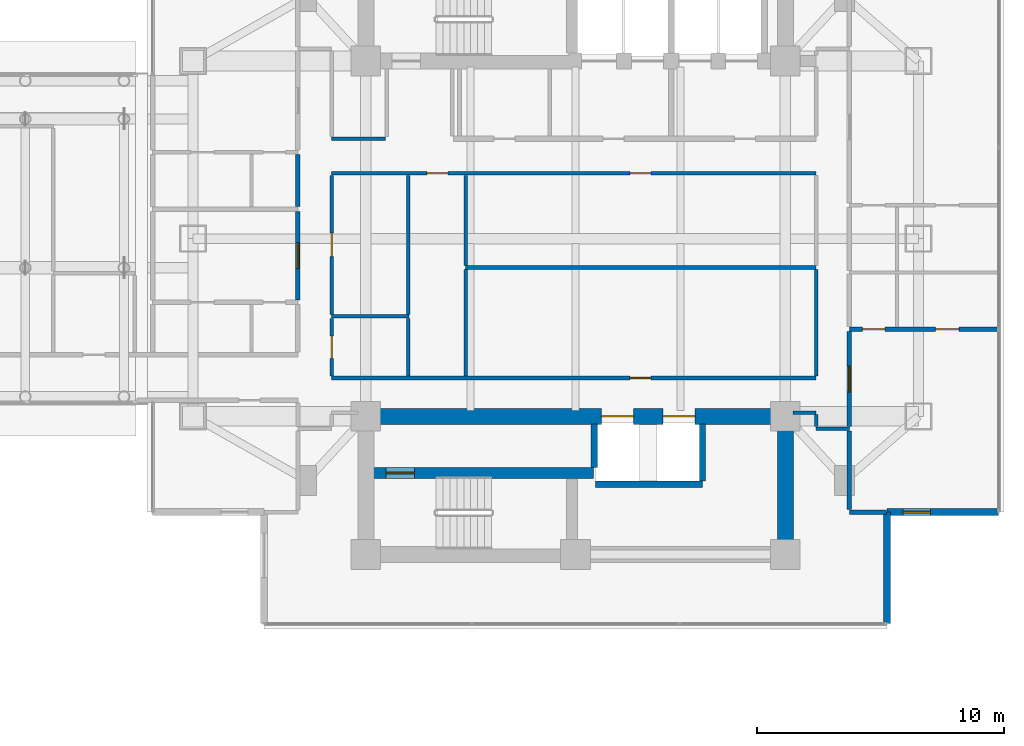
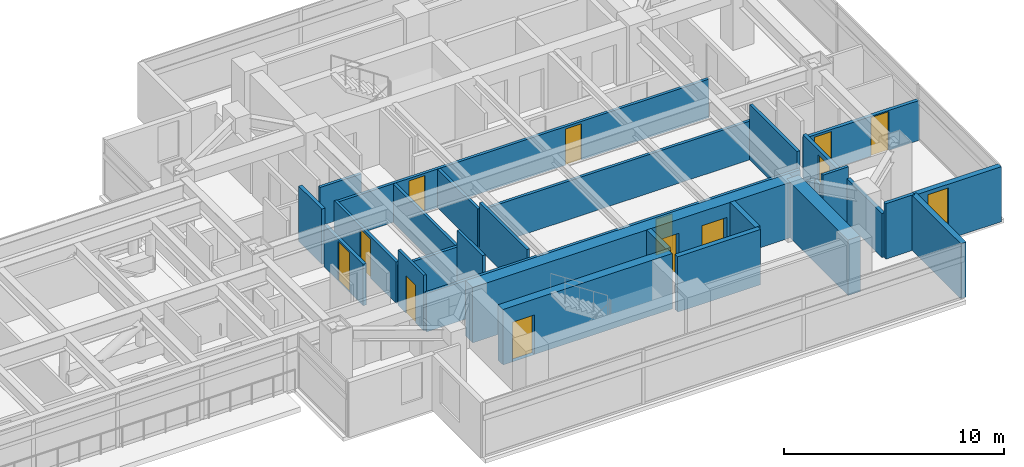
# One storey, part 20 of 29: 29 walls, 12 doors, 1 window, 13 openings.
"""IFC4 building model written with IfcOpenShell, lengths in metres."""

import ifcopenshell
import ifcopenshell.guid

model = None  # the IFC model being written
_history = None  # IfcOwnerHistory: only IFC2X3 demands one
_inside = {}  # id of a spatial element -> (the spatial element, [elements in it])
_under = {}  # id of a project, library or spatial element -> (it, [spatial elements below it])
_declared = {}  # id of a project -> (the project, [libraries it declares])
_typed = {}  # id of a type object -> (the type object, [elements of that type])
_made_of = {}  # id of a material, layer set ... -> (it, [elements and type objects made of it])


def new_model(schema):
    """Start an empty IFC model of exactly this schema.

    Asked for "IFC4X3", IfcOpenShell would pick the latest addendum, in which some entities
    have other attributes; the version numbers below select the first issue.
    IFC2X3 requires an IfcOwnerHistory on every rooted entity: one is made here for all.
    """
    global model, _history
    if schema == "IFC4X3":
        model = ifcopenshell.file(schema_version=(4, 3, 0, 0))
    else:
        model = ifcopenshell.file(schema=schema)
    _inside.clear()
    _under.clear()
    _declared.clear()
    _typed.clear()
    _made_of.clear()
    _history = None
    if model.schema == "IFC2X3":
        org = make("IfcOrganization", Name="unknown")
        user = make(
            "IfcPersonAndOrganization",
            ThePerson=make("IfcPerson", FamilyName="unknown"),
            TheOrganization=org,
        )
        app = make(
            "IfcApplication",
            ApplicationDeveloper=org,
            Version="unknown",
            ApplicationFullName="unknown",
            ApplicationIdentifier="unknown",
        )
        _history = make(
            "IfcOwnerHistory",
            OwningUser=user,
            OwningApplication=app,
            ChangeAction="ADDED",
            CreationDate=0,
        )
    return model


def make(cls, **values):
    """One entity of the class cls with the attributes given. An attribute that is None is left unset."""
    return model.create_entity(
        cls, **{name: value for name, value in values.items() if value is not None}
    )


def rooted(cls, **values):
    """An entity with a GlobalId (a new one), such as an element, a storey or a relation."""
    return make(cls, GlobalId=ifcopenshell.guid.new(), OwnerHistory=_history, **values)


def si_unit(unit_type, name, prefix=None):
    """IfcSIUnit, for example si_unit("LENGTHUNIT", "METRE", prefix="MILLI")."""
    return make("IfcSIUnit", UnitType=unit_type, Prefix=prefix, Name=name)


def assignment(units):
    """IfcUnitAssignment: the units of a project."""
    return None if units is None else make("IfcUnitAssignment", Units=units)


def point(xyz):
    """IfcCartesianPoint."""
    return None if xyz is None else make("IfcCartesianPoint", Coordinates=xyz)


def direction(xyz):
    """IfcDirection."""
    return None if xyz is None else make("IfcDirection", DirectionRatios=xyz)


def frame(location, z_axis=None, x_axis=None):
    """IfcAxis2Placement3D, a coordinate frame: its origin and axes. An axis left out is left unset."""
    return make(
        "IfcAxis2Placement3D",
        Location=point(location),
        Axis=direction(z_axis),
        RefDirection=direction(x_axis),
    )


def frame_2d(location, x_axis=None):
    """IfcAxis2Placement2D, a coordinate frame in the plane: its origin and x axis."""
    return make(
        "IfcAxis2Placement2D", Location=point(location), RefDirection=direction(x_axis)
    )


def origin():
    """The frame at (0, 0, 0) with its axes left unset."""
    return frame((0.0, 0.0, 0.0))


def place(relative_to, where):
    """IfcLocalPlacement: puts the frame where relative to a parent placement (None: the world)."""
    return make(
        "IfcLocalPlacement", PlacementRelTo=relative_to, RelativePlacement=where
    )


def context(
    kind, dimensions, precision=None, world=None, true_north=None, identifier=None
):
    """IfcGeometricRepresentationContext, for example the 3D "Model" context."""
    return make(
        "IfcGeometricRepresentationContext",
        ContextIdentifier=identifier,
        ContextType=kind,
        CoordinateSpaceDimension=dimensions,
        Precision=precision,
        WorldCoordinateSystem=world,
        TrueNorth=true_north,
    )


def subcontext(parent, identifier, kind, view, scale=None):
    """IfcGeometricRepresentationSubContext, for example "Body" below "Model"."""
    return make(
        "IfcGeometricRepresentationSubContext",
        ContextIdentifier=identifier,
        ContextType=kind,
        ParentContext=parent,
        TargetScale=scale,
        TargetView=view,
    )


def project(units=None, contexts=None):
    """IfcProject with its units and contexts."""
    return rooted(
        "IfcProject",
        Name="project",
        RepresentationContexts=contexts,
        UnitsInContext=assignment(units),
    )


def spatial(cls, under=None, at=None, **own):
    """A site, building, storey or space (cls), placed at a placement, below another one or the project."""
    s = rooted(cls, ObjectPlacement=at, **own)
    if under is not None:
        _under.setdefault(under.id(), (under, []))[1].append(s)
    return s


def profile(cls, at=None, kind="AREA", **sizes):
    """A parametric profile (cls). Its sizes go by their IFC names, for example OverallWidth=200.0."""
    return make(cls, ProfileType=kind, Position=at, **sizes)


def rectangle(**sizes):
    """IfcRectangleProfileDef."""
    return profile("IfcRectangleProfileDef", **sizes)


def extrude(swept, where, along, depth):
    """IfcExtrudedAreaSolid: the profile swept, set in the frame where, extruded along a direction by depth."""
    return make(
        "IfcExtrudedAreaSolid",
        SweptArea=swept,
        Position=where,
        ExtrudedDirection=direction(along),
        Depth=depth,
    )


def shape(context_of_items, identifier, shape_type, items):
    """IfcShapeRepresentation: the items that make up one representation, for example the "Body"."""
    return make(
        "IfcShapeRepresentation",
        ContextOfItems=context_of_items,
        RepresentationIdentifier=identifier,
        RepresentationType=shape_type,
        Items=items,
    )


def material(Name=None, Category=None):
    """IfcMaterial."""
    return make("IfcMaterial", Name=Name, Category=Category)


def layer(
    of_material, thickness, ventilated=None, Name=None, Category=None, Priority=None
):
    """IfcMaterialLayer: one layer of a wall or slab, of a material (None: an air gap)."""
    return make(
        "IfcMaterialLayer",
        Material=of_material,
        LayerThickness=thickness,
        IsVentilated=ventilated,
        Name=Name,
        Category=Category,
        Priority=Priority,
    )


def layer_set(layers, Name=None):
    """IfcMaterialLayerSet."""
    return make("IfcMaterialLayerSet", MaterialLayers=layers, LayerSetName=Name)


def made_of(thing, what):
    """Note that an element or type object is made of a material, layer set ...; save() writes the relation."""
    if what is not None:
        _made_of.setdefault(what.id(), (what, []))[1].append(thing)
    return thing


def type_object(cls, material=None, **own):
    """A type object (cls), such as IfcWallType, which elements share."""
    return made_of(rooted(cls, **own), material)


def element(
    cls,
    number,
    at=None,
    inside=None,
    cuts=None,
    type_object=None,
    material=None,
    context=None,
    identifier="Body",
    shape_type=None,
    held_by="IfcProductDefinitionShape",
    body=None,
    shapes=None,
    **own,
):
    """One element of the class cls, such as IfcWall. Its Tag is "e" and its number.

    at: its placement. inside: the storey or other place that contains it. cuts: it is an
    opening in that element (IfcRelVoidsElement). A single representation is given by context,
    identifier, shape_type and body (its items); several are given by shapes. held_by: the class
    of the entity that holds the representations. save() writes the other relations.
    """
    e = rooted(cls, Tag="e%d" % number, ObjectPlacement=at, **own)
    if body is not None:
        shapes = [shape(context, identifier, shape_type, body)]
    if shapes is not None:
        e.Representation = make(held_by, Representations=shapes)
    if inside is not None:
        _inside.setdefault(inside.id(), (inside, []))[1].append(e)
    if cuts is not None:
        rooted(
            "IfcRelVoidsElement", RelatingBuildingElement=cuts, RelatedOpeningElement=e
        )
    if type_object is not None:
        _typed.setdefault(type_object.id(), (type_object, []))[1].append(e)
    return made_of(e, material)


def fill(opening, filler):
    """IfcRelFillsElement: the door or window that sits in an opening."""
    return rooted(
        "IfcRelFillsElement",
        RelatingOpeningElement=opening,
        RelatedBuildingElement=filler,
    )


def aggregate(whole, parts):
    """IfcRelAggregates: a whole, such as a stair, and the parts it consists of."""
    return rooted("IfcRelAggregates", RelatingObject=whole, RelatedObjects=parts)


def save(model, path):
    """Write the relations noted so far, then the file.

    IfcRelAggregates (storeys below a building ...), IfcRelContainedInSpatialStructure (elements
    in a storey), IfcRelDefinesByType, IfcRelAssociatesMaterial and IfcRelDeclares: one each for
    every whole, place, type object, material and project.
    """
    for whole, parts in _under.values():
        aggregate(whole, parts)
    for where, things in _inside.values():
        rooted(
            "IfcRelContainedInSpatialStructure",
            RelatedElements=things,
            RelatingStructure=where,
        )
    for kind, things in _typed.values():
        rooted("IfcRelDefinesByType", RelatedObjects=things, RelatingType=kind)
    for what, things in _made_of.values():
        rooted("IfcRelAssociatesMaterial", RelatedObjects=things, RelatingMaterial=what)
    for by, libraries in _declared.values():
        rooted("IfcRelDeclares", RelatingContext=by, RelatedDefinitions=libraries)
    model.write(path)


model = new_model("IFC4")

# Units and contexts
model_context = context("Model", 3, precision=1e-05, world=origin(), true_north=direction((0.0, 1.0)))
body_context = subcontext(model_context, "Body", "Model", "MODEL_VIEW")
ifc_project = project(units=[si_unit("LENGTHUNIT", "METRE"), si_unit("AREAUNIT", "SQUARE_METRE"), si_unit("VOLUMEUNIT", "CUBIC_METRE"), si_unit("PLANEANGLEUNIT", "RADIAN"), si_unit("MASSUNIT", "GRAM", prefix="KILO")], contexts=[model_context])

# Site, building, storey
site_placement = place(None, origin())
site = spatial("IfcSite", under=ifc_project, at=site_placement, CompositionType="ELEMENT")
building_placement = place(site_placement, origin())
building = spatial("IfcBuilding", under=site, at=building_placement, Name="Mirazonda Arch Towers", CompositionType="ELEMENT")
storey_placement = place(building_placement, frame((0.0, 0.0, 88.39990234375)))
storey = spatial("IfcBuildingStorey", under=building, at=storey_placement, Name="L24", CompositionType="ELEMENT", Elevation=88.39990234375)

# Wall, opening, door
ifc_material_1 = material(Name="Concrete C50/60", Category="concrete")
ifc_layer_1 = layer(ifc_material_1, 0.449951171875, Name="WALL-CORE-450")
ifc_layer_set_1 = layer_set([ifc_layer_1], Name="Concrete C50/60")
wall_type_1 = type_object("IfcWallType", Name="WALL-CORE-450", PredefinedType="SHEAR", material=ifc_layer_set_1)
wall_1_placement = place(storey_placement, frame((68.320068359375, 18.5, 0.0), z_axis=(0.0, 0.0, 1.0), x_axis=(1.0, 0.0, 0.0)))
wall_1 = element("IfcWall", 1, at=wall_1_placement, inside=storey, type_object=wall_type_1, Name="L24 Stair Core Shear Wall 014", PredefinedType="SHEAR", context=body_context, shape_type="SweptSolid", body=[
    extrude(rectangle(XDim=8.89990234375, YDim=0.449951171875, at=frame_2d((4.449951171875, 0.0))), origin(), (0.0, 0.0, 1.0), 3.080078125),
])
opening_1_placement = place(wall_1_placement, frame((0.4951171875, 0.0, 0.0)))
opening_1 = element("IfcOpeningElement", 2, at=opening_1_placement, cuts=wall_1, Name="Opening DR-135", PredefinedType="OPENING", context=body_context, shape_type="SweptSolid", body=[
    extrude(rectangle(XDim=1.14990234375, YDim=2.199951171875, at=frame_2d((0.574951171875, 1.10009765625))), frame((0.0, 0.23486328125, 0.0), z_axis=(0.0, -1.0, 0.0), x_axis=(1.0, 0.0, 0.0)), (0.0, 0.0, 1.0), 0.469970703125),
])
ifc_material_2 = material(Name="Architectural Brushed Steel S355", Category="steel")
door_type_1 = type_object("IfcDoorType", Name="DOOR-STAIR-FD90-1150", OperationType="NOTDEFINED", PredefinedType="DOOR", material=ifc_material_2)
door_1_placement = place(opening_1_placement, origin())
door_1 = element("IfcDoor", 3, at=door_1_placement, inside=storey, type_object=door_type_1, Name="L24 East Protected Stair South Door", OperationType="SINGLE_SWING_LEFT", OverallHeight=2.199951171875, OverallWidth=1.14990234375, PredefinedType="DOOR", context=body_context, shape_type="SweptSolid", body=[
    extrude(rectangle(XDim=1.14990234375, YDim=2.199951171875, at=frame_2d((0.574951171875, 1.10009765625))), frame((0.0, 0.02490234375, 0.0), z_axis=(0.0, -1.0, 0.0), x_axis=(1.0, 0.0, 0.0)), (0.0, 0.0, 1.0), 0.050048828125),
])
fill(opening_1, door_1)

# Wall
ifc_material_3 = material(Name="Concrete C60/75", Category="concrete")
ifc_layer_2 = layer(ifc_material_3, 0.64990234375, Name="WALL-CORE-650")
ifc_layer_set_2 = layer_set([ifc_layer_2], Name="Concrete C60/75")
wall_type_2 = type_object("IfcWallType", Name="WALL-CORE-650", PredefinedType="SHEAR", material=ifc_layer_set_2)
wall_2_placement = place(storey_placement, frame((85.0, 15.199951171875, 0.0), z_axis=(0.0, 0.0, 1.0), x_axis=(0.0, 1.0, 0.0)))
element("IfcWall", 4, at=wall_2_placement, inside=storey, type_object=wall_type_2, Name="L24 T2S-E Core Shear Wall", PredefinedType="SHEAR", context=body_context, shape_type="SweptSolid", body=[
    extrude(rectangle(XDim=5.60009765625, YDim=0.64990234375, at=frame_2d((2.800048828125, 0.0))), origin(), (0.0, 0.0, 1.0), 3.080078125),
])

# Wall, openings, doors
wall_3_placement = place(storey_placement, frame((68.0, 20.800048828125, 0.0), z_axis=(0.0, 0.0, 1.0), x_axis=(1.0, 0.0, 0.0)))
wall_3 = element("IfcWall", 5, at=wall_3_placement, inside=storey, type_object=wall_type_2, Name="L24 T2S-N Core Shear Wall", PredefinedType="SHEAR", context=body_context, shape_type="SweptSolid", body=[
    extrude(rectangle(XDim=17.0, YDim=0.64990234375, at=frame_2d((8.5, 0.0))), origin(), (0.0, 0.0, 1.0), 3.080078125),
])
opening_2_placement = place(wall_3_placement, frame((9.550048828125, 0.0, 0.0)))
opening_2 = element("IfcOpeningElement", 6, at=opening_2_placement, cuts=wall_3, Name="Opening LD-111", PredefinedType="OPENING", context=body_context, shape_type="SweptSolid", body=[
    extrude(rectangle(XDim=1.300048828125, YDim=2.300048828125, at=frame_2d((0.64990234375, 1.14990234375))), frame((0.0, 0.3349609375, 0.0), z_axis=(0.0, -1.0, 0.0), x_axis=(1.0, 0.0, 0.0)), (0.0, 0.0, 1.0), 0.669921875),
])
opening_3_placement = place(wall_3_placement, frame((12.050048828125, 0.0, 0.0)))
opening_3 = element("IfcOpeningElement", 7, at=opening_3_placement, cuts=wall_3, Name="Opening LD-111", PredefinedType="OPENING", context=body_context, shape_type="SweptSolid", body=[
    extrude(rectangle(XDim=1.300048828125, YDim=2.300048828125, at=frame_2d((0.64990234375, 1.14990234375))), frame((0.0, 0.3349609375, 0.0), z_axis=(0.0, -1.0, 0.0), x_axis=(1.0, 0.0, 0.0)), (0.0, 0.0, 1.0), 0.669921875),
])
door_type_2 = type_object("IfcDoorType", Name="DOOR-LIFT-LAND-1300", OperationType="NOTDEFINED", PredefinedType="DOOR", material=ifc_material_2)
door_2_placement = place(opening_2_placement, origin())
door_2 = element("IfcDoor", 8, at=door_2_placement, inside=storey, type_object=door_type_2, Name="L24 Lift Landing Sliding Door PL-T2H1", OperationType="DOUBLE_DOOR_SLIDING", OverallHeight=2.300048828125, OverallWidth=1.300048828125, PredefinedType="DOOR", context=body_context, shape_type="SweptSolid", body=[
    extrude(rectangle(XDim=1.300048828125, YDim=2.300048828125, at=frame_2d((0.64990234375, 1.14990234375))), frame((0.0, 0.02490234375, 0.0), z_axis=(0.0, -1.0, 0.0), x_axis=(1.0, 0.0, 0.0)), (0.0, 0.0, 1.0), 0.050048828125),
])
fill(opening_2, door_2)
door_3_placement = place(opening_3_placement, origin())
door_3 = element("IfcDoor", 9, at=door_3_placement, inside=storey, type_object=door_type_2, Name="L24 Lift Landing Sliding Door PL-T2H2", OperationType="DOUBLE_DOOR_SLIDING", OverallHeight=2.300048828125, OverallWidth=1.300048828125, PredefinedType="DOOR", context=body_context, shape_type="SweptSolid", body=[
    extrude(rectangle(XDim=1.300048828125, YDim=2.300048828125, at=frame_2d((0.64990234375, 1.14990234375))), frame((0.0, 0.02490234375, 0.0), z_axis=(0.0, -1.0, 0.0), x_axis=(1.0, 0.0, 0.0)), (0.0, 0.0, 1.0), 0.050048828125),
])
fill(opening_3, door_3)

# Wall, opening, window
ifc_material_4 = material(Name="Precast Concrete C40/50", Category="concrete")
ifc_layer_3 = layer(ifc_material_4, 0.280029296875, Name="WALL-EXT-WALL-280")
ifc_layer_set_3 = layer_set([ifc_layer_3], Name="Precast Concrete C40/50")
wall_type_3 = type_object("IfcWallType", Name="WALL-EXT-WALL-280", PredefinedType="SOLIDWALL", material=ifc_layer_set_3)
wall_4_placement = place(storey_placement, frame((89.126220703125, 16.918701171875, 0.0), z_axis=(0.0, 0.0, 1.0), x_axis=(1.0, 0.0, 0.0)))
wall_4 = element("IfcWall", 10, at=wall_4_placement, inside=storey, type_object=wall_type_3, Name="L24 T2 Corner Notch Return Wall WL-L24-T2-CSE1", PredefinedType="SOLIDWALL", context=body_context, shape_type="SweptSolid", body=[
    extrude(rectangle(XDim=4.516357421875, YDim=0.280029296875, at=frame_2d((2.25830078125, 0.0))), origin(), (0.0, 0.0, 1.0), 3.06005859375),
])
opening_4_placement = place(wall_4_placement, frame((0.64990234375, 0.0, 0.85009765625)))
opening_4 = element("IfcOpeningElement", 11, at=opening_4_placement, cuts=wall_4, Name="Opening WN-108", PredefinedType="OPENING", context=body_context, shape_type="SweptSolid", body=[
    extrude(rectangle(XDim=1.10009765625, YDim=2.0, at=frame_2d((0.550048828125, 1.0))), frame((0.0, 0.14990234375, 0.0), z_axis=(0.0, -1.0, 0.0), x_axis=(1.0, 0.0, 0.0)), (0.0, 0.0, 1.0), 0.300048828125),
])
ifc_material_5 = material(Name="Insulated Low-E Solar Glass", Category="glass")
window_type = type_object("IfcWindowType", Name="WIN-NOTCH-1100x2000", PartitioningType="SINGLE_PANEL", PredefinedType="WINDOW", material=ifc_material_5)
window_placement = place(opening_4_placement, origin())
window = element("IfcWindow", 12, at=window_placement, inside=storey, type_object=window_type, Name="L24 Punched Facade Window WN-L24-T2-CSE1", OverallHeight=2.0, OverallWidth=1.10009765625, PartitioningType="SINGLE_PANEL", PredefinedType="WINDOW", context=body_context, shape_type="SweptSolid", body=[
    extrude(rectangle(XDim=1.10009765625, YDim=2.0, at=frame_2d((0.550048828125, 1.0))), frame((0.0, 0.030029296875, 0.0), z_axis=(0.0, -1.0, 0.0), x_axis=(1.0, 0.0, 0.0)), (0.0, 0.0, 1.0), 0.06005859375),
])
fill(opening_4, window)

# Walls
wall_5_placement = place(storey_placement, frame((89.126220703125, 12.402587890625, 0.0), z_axis=(0.0, 0.0, 1.0), x_axis=(0.0, 1.0, 0.0)))
element("IfcWall", 13, at=wall_5_placement, inside=storey, type_object=wall_type_3, Name="L24 T2 Corner Notch Return Wall WL-L24-T2-CSE2", PredefinedType="SOLIDWALL", context=body_context, shape_type="SweptSolid", body=[
    extrude(rectangle(XDim=4.51611328125, YDim=0.280029296875, at=frame_2d((2.258056640625, 0.0))), origin(), (0.0, 0.0, 1.0), 3.06005859375),
])
ifc_material_6 = material(Name="Fire-Rated Gypsum Stud Partition")
ifc_layer_4 = layer(ifc_material_6, 0.14990234375, Name="WALL-PART-CORR-150")
ifc_layer_set_4 = layer_set([ifc_layer_4], Name="Fire-Rated Gypsum Stud Partition")
wall_type_4 = type_object("IfcWallType", Name="WALL-PART-CORR-150", PredefinedType="PARTITIONING", material=ifc_layer_set_4)
wall_6_placement = place(storey_placement, frame((86.25, 20.300048828125, 0.0), z_axis=(0.0, 0.0, 1.0), x_axis=(1.0, 0.0, 0.0)))
element("IfcWall", 14, at=wall_6_placement, inside=storey, type_object=wall_type_4, Name="L24 Interior Partition 017", PredefinedType="PARTITIONING", context=body_context, shape_type="SweptSolid", body=[
    extrude(rectangle(XDim=1.35009765625, YDim=0.14990234375, at=frame_2d((0.675048828125, 0.0))), origin(), (0.0, 0.0, 1.0), 3.080078125),
])
wall_7_placement = place(storey_placement, frame((85.320068359375, 20.949951171875, 0.0), z_axis=(0.0, 0.0, 1.0), x_axis=(1.0, 0.0, 0.0)))
element("IfcWall", 15, at=wall_7_placement, inside=storey, type_object=wall_type_4, Name="L24 Interior Partition 020", PredefinedType="PARTITIONING", context=body_context, shape_type="SweptSolid", body=[
    extrude(rectangle(XDim=0.929931640625, YDim=0.14990234375, at=frame_2d((0.46484375, 0.0))), origin(), (0.0, 0.0, 1.0), 2.47216796875),
])

# Wall, opening, door
wall_8_placement = place(storey_placement, frame((66.6201171875, 22.35009765625, 0.0), z_axis=(0.0, 0.0, 1.0), x_axis=(1.0, 0.0, 0.0)))
wall_8 = element("IfcWall", 16, at=wall_8_placement, inside=storey, type_object=wall_type_4, Name="L24 Interior Partition 023", PredefinedType="PARTITIONING", context=body_context, shape_type="SweptSolid", body=[
    extrude(rectangle(XDim=19.6298828125, YDim=0.14990234375, at=frame_2d((9.81494140625, 0.0))), origin(), (0.0, 0.0, 1.0), 2.14501953125),
])
opening_5_placement = place(wall_8_placement, frame((12.0849609375, 0.0, 0.0)))
opening_5 = element("IfcOpeningElement", 17, at=opening_5_placement, cuts=wall_8, Name="Opening DR-128", PredefinedType="OPENING", context=body_context, shape_type="SweptSolid", body=[
    extrude(rectangle(XDim=0.85009765625, YDim=2.010009765625, at=frame_2d((0.425048828125, 1.0048828125))), frame((0.0, 0.0849609375, 0.0), z_axis=(0.0, -1.0, 0.0), x_axis=(1.0, 0.0, 0.0)), (0.0, 0.0, 1.0), 0.169921875),
])
door_type_3 = type_object("IfcDoorType", Name="DOOR-RISER-FD60-850", OperationType="NOTDEFINED", PredefinedType="DOOR", material=ifc_material_2)
door_4_placement = place(opening_5_placement, origin())
door_4 = element("IfcDoor", 18, at=door_4_placement, inside=storey, type_object=door_type_3, Name="L24 Business Reading Study Door", OperationType="SINGLE_SWING_LEFT", OverallHeight=2.010009765625, OverallWidth=0.85009765625, PredefinedType="DOOR", context=body_context, shape_type="SweptSolid", body=[
    extrude(rectangle(XDim=0.85009765625, YDim=2.010009765625, at=frame_2d((0.425048828125, 1.0048828125))), frame((0.0, 0.02490234375, 0.0), z_axis=(0.0, -1.0, 0.0), x_axis=(1.0, 0.0, 0.0)), (0.0, 0.0, 1.0), 0.050048828125),
])
fill(opening_5, door_4)

# Walls
wall_9_placement = place(storey_placement, frame((66.6201171875, 24.85009765625, 0.0), z_axis=(0.0, 0.0, 1.0), x_axis=(1.0, 0.0, 0.0)))
element("IfcWall", 19, at=wall_9_placement, inside=storey, type_object=wall_type_4, Name="L24 Interior Partition 028", PredefinedType="PARTITIONING", context=body_context, shape_type="SweptSolid", body=[
    extrude(rectangle(XDim=3.1298828125, YDim=0.14990234375, at=frame_2d((1.56494140625, 0.0))), origin(), (0.0, 0.0, 1.0), 2.14501953125),
])
wall_10_placement = place(storey_placement, frame((72.050048828125, 26.83203125, 0.0), z_axis=(0.0, 0.0, 1.0), x_axis=(1.0, 0.0, 0.0)))
element("IfcWall", 20, at=wall_10_placement, inside=storey, type_object=wall_type_4, Name="L24 Interior Partition 033", PredefinedType="PARTITIONING", context=body_context, shape_type="SweptSolid", body=[
    extrude(rectangle(XDim=14.199951171875, YDim=0.14990234375, at=frame_2d((7.10009765625, 0.0))), origin(), (0.0, 0.0, 1.0), 2.14501953125),
])

# Wall, openings, doors
wall_11_placement = place(storey_placement, frame((66.6201171875, 30.64990234375, 0.0), z_axis=(0.0, 0.0, 1.0), x_axis=(1.0, 0.0, 0.0)))
wall_11 = element("IfcWall", 21, at=wall_11_placement, inside=storey, type_object=wall_type_4, Name="L24 Interior Partition 039", PredefinedType="PARTITIONING", context=body_context, shape_type="SweptSolid", body=[
    extrude(rectangle(XDim=19.6298828125, YDim=0.14990234375, at=frame_2d((9.81494140625, 0.0))), origin(), (0.0, 0.0, 1.0), 2.14501953125),
])
opening_6_placement = place(wall_11_placement, frame((3.85498046875, 0.0, 0.0)))
opening_6 = element("IfcOpeningElement", 22, at=opening_6_placement, cuts=wall_11, Name="Opening DR-128", PredefinedType="OPENING", context=body_context, shape_type="SweptSolid", body=[
    extrude(rectangle(XDim=0.85009765625, YDim=2.010009765625, at=frame_2d((0.425048828125, 1.0048828125))), frame((0.0, 0.0849609375, 0.0), z_axis=(0.0, -1.0, 0.0), x_axis=(1.0, 0.0, 0.0)), (0.0, 0.0, 1.0), 0.169921875),
])
opening_7_placement = place(wall_11_placement, frame((12.0849609375, 0.0, 0.0)))
opening_7 = element("IfcOpeningElement", 23, at=opening_7_placement, cuts=wall_11, Name="Opening DR-128", PredefinedType="OPENING", context=body_context, shape_type="SweptSolid", body=[
    extrude(rectangle(XDim=0.85009765625, YDim=2.010009765625, at=frame_2d((0.425048828125, 1.0048828125))), frame((0.0, 0.0849609375, 0.0), z_axis=(0.0, -1.0, 0.0), x_axis=(1.0, 0.0, 0.0)), (0.0, 0.0, 1.0), 0.169921875),
])
door_5_placement = place(opening_6_placement, origin())
door_5 = element("IfcDoor", 24, at=door_5_placement, inside=storey, type_object=door_type_3, Name="L24 L24 East Courtyard Study Door", OperationType="SINGLE_SWING_RIGHT", OverallHeight=2.010009765625, OverallWidth=0.85009765625, PredefinedType="DOOR", context=body_context, shape_type="SweptSolid", body=[
    extrude(rectangle(XDim=0.85009765625, YDim=2.010009765625, at=frame_2d((0.425048828125, 1.0048828125))), frame((0.0, 0.02490234375, 0.0), z_axis=(0.0, -1.0, 0.0), x_axis=(1.0, 0.0, 0.0)), (0.0, 0.0, 1.0), 0.050048828125),
])
fill(opening_6, door_5)
door_6_placement = place(opening_7_placement, origin())
door_6 = element("IfcDoor", 25, at=door_6_placement, inside=storey, type_object=door_type_3, Name="L24 Concierge Salon Door", OperationType="SINGLE_SWING_RIGHT", OverallHeight=2.010009765625, OverallWidth=0.85009765625, PredefinedType="DOOR", context=body_context, shape_type="SweptSolid", body=[
    extrude(rectangle(XDim=0.85009765625, YDim=2.010009765625, at=frame_2d((0.425048828125, 1.0048828125))), frame((0.0, 0.02490234375, 0.0), z_axis=(0.0, -1.0, 0.0), x_axis=(1.0, 0.0, 0.0)), (0.0, 0.0, 1.0), 0.050048828125),
])
fill(opening_7, door_6)

# Wall
wall_12_placement = place(storey_placement, frame((66.6201171875, 32.050048828125, 0.0), z_axis=(0.0, 0.0, 1.0), x_axis=(1.0, 0.0, 0.0)))
element("IfcWall", 26, at=wall_12_placement, inside=storey, type_object=wall_type_4, Name="L24 Interior Partition 042", PredefinedType="PARTITIONING", context=body_context, shape_type="SweptSolid", body=[
    extrude(rectangle(XDim=2.179931640625, YDim=0.14990234375, at=frame_2d((1.08984375, 0.0))), origin(), (0.0, 0.0, 1.0), 2.14501953125),
])

# Wall, opening, door
wall_13_placement = place(storey_placement, frame((66.6201171875, 22.43505859375, 0.0), z_axis=(0.0, 0.0, 1.0), x_axis=(0.0, 1.0, 0.0)))
wall_13 = element("IfcWall", 27, at=wall_13_placement, inside=storey, type_object=wall_type_4, Name="L24 Interior Partition 143", PredefinedType="PARTITIONING", context=body_context, shape_type="SweptSolid", body=[
    extrude(rectangle(XDim=2.329833984375, YDim=0.14990234375, at=frame_2d((1.1650390625, 0.0))), origin(), (0.0, 0.0, 1.0), 3.080078125),
])
opening_8_placement = place(wall_13_placement, frame((0.715087890625, 0.0, 0.0)))
opening_8 = element("IfcOpeningElement", 28, at=opening_8_placement, cuts=wall_13, Name="Opening DR-120", PredefinedType="OPENING", context=body_context, shape_type="SweptSolid", body=[
    extrude(rectangle(XDim=0.89990234375, YDim=2.10009765625, at=frame_2d((0.449951171875, 1.050048828125))), frame((0.0, 0.0849609375, 0.0), z_axis=(0.0, -1.0, 0.0), x_axis=(1.0, 0.0, 0.0)), (0.0, 0.0, 1.0), 0.169921875),
])
door_type_4 = type_object("IfcDoorType", Name="DOOR-WC-900", OperationType="NOTDEFINED", PredefinedType="DOOR", material=ifc_material_2)
door_7_placement = place(opening_8_placement, origin())
door_7 = element("IfcDoor", 29, at=door_7_placement, inside=storey, type_object=door_type_4, Name="L24 Tower 2 Common Accessible WC Door", OperationType="SINGLE_SWING_RIGHT", OverallHeight=2.10009765625, OverallWidth=0.89990234375, PredefinedType="DOOR", context=body_context, shape_type="SweptSolid", body=[
    extrude(rectangle(XDim=0.89990234375, YDim=2.10009765625, at=frame_2d((0.449951171875, 1.050048828125))), frame((0.0, 0.02490234375, 0.0), z_axis=(0.0, -1.0, 0.0), x_axis=(1.0, 0.0, 0.0)), (0.0, 0.0, 1.0), 0.050048828125),
])
fill(opening_8, door_7)

wall_14_placement = place(storey_placement, frame((66.6201171875, 24.93505859375, 0.0), z_axis=(0.0, 0.0, 1.0), x_axis=(0.0, 1.0, 0.0)))
wall_14 = element("IfcWall", 30, at=wall_14_placement, inside=storey, type_object=wall_type_4, Name="L24 Interior Partition 144", PredefinedType="PARTITIONING", context=body_context, shape_type="SweptSolid", body=[
    extrude(rectangle(XDim=5.6298828125, YDim=0.14990234375, at=frame_2d((2.81494140625, 0.0))), origin(), (0.0, 0.0, 1.0), 2.299072265625),
])
opening_9_placement = place(wall_14_placement, frame((2.340087890625, 0.0, 0.0)))
opening_9 = element("IfcOpeningElement", 31, at=opening_9_placement, cuts=wall_14, Name="Opening DR-104", PredefinedType="OPENING", context=body_context, shape_type="SweptSolid", body=[
    extrude(rectangle(XDim=0.949951171875, YDim=2.14990234375, at=frame_2d((0.47509765625, 1.074951171875))), frame((0.0, 0.0849609375, 0.0), z_axis=(0.0, -1.0, 0.0), x_axis=(1.0, 0.0, 0.0)), (0.0, 0.0, 1.0), 0.169921875),
])
door_type_5 = type_object("IfcDoorType", Name="DOOR-ROOM-950", OperationType="NOTDEFINED", PredefinedType="DOOR", material=ifc_material_2)
door_8_placement = place(opening_9_placement, origin())
door_8 = element("IfcDoor", 32, at=door_8_placement, inside=storey, type_object=door_type_5, Name="L24 L24 East Courtyard Reading Study Door", OperationType="SINGLE_SWING_LEFT", OverallHeight=2.14990234375, OverallWidth=0.949951171875, PredefinedType="DOOR", context=body_context, shape_type="SweptSolid", body=[
    extrude(rectangle(XDim=0.949951171875, YDim=2.14990234375, at=frame_2d((0.47509765625, 1.074951171875))), frame((0.0, 0.02490234375, 0.0), z_axis=(0.0, -1.0, 0.0), x_axis=(1.0, 0.0, 0.0)), (0.0, 0.0, 1.0), 0.050048828125),
])
fill(opening_9, door_8)

# Walls
wall_15_placement = place(storey_placement, frame((69.723388671875, 22.43505859375, 0.0), z_axis=(0.0, 0.0, 1.0), x_axis=(0.0, 1.0, 0.0)))
element("IfcWall", 33, at=wall_15_placement, inside=storey, type_object=wall_type_4, Name="L24 Interior Partition 147", PredefinedType="PARTITIONING", context=body_context, shape_type="SweptSolid", body=[
    extrude(rectangle(XDim=2.329833984375, YDim=0.14990234375, at=frame_2d((1.1650390625, 0.0))), origin(), (0.0, 0.0, 1.0), 3.080078125),
])
wall_16_placement = place(storey_placement, frame((69.723388671875, 24.93505859375, 0.0), z_axis=(0.0, 0.0, 1.0), x_axis=(0.0, 1.0, 0.0)))
element("IfcWall", 34, at=wall_16_placement, inside=storey, type_object=wall_type_4, Name="L24 Interior Partition 148", PredefinedType="PARTITIONING", context=body_context, shape_type="SweptSolid", body=[
    extrude(rectangle(XDim=5.6298828125, YDim=0.14990234375, at=frame_2d((2.81494140625, 0.0))), origin(), (0.0, 0.0, 1.0), 2.14501953125),
])
wall_17_placement = place(storey_placement, frame((72.050048828125, 22.43505859375, 0.0), z_axis=(0.0, 0.0, 1.0), x_axis=(0.0, 1.0, 0.0)))
element("IfcWall", 35, at=wall_17_placement, inside=storey, type_object=wall_type_4, Name="L24 Interior Partition 151", PredefinedType="PARTITIONING", context=body_context, shape_type="SweptSolid", body=[
    extrude(rectangle(XDim=4.31201171875, YDim=0.14990234375, at=frame_2d((2.156005859375, 0.0))), origin(), (0.0, 0.0, 1.0), 2.609130859375),
])
wall_18_placement = place(storey_placement, frame((72.050048828125, 26.9169921875, 0.0), z_axis=(0.0, 0.0, 1.0), x_axis=(0.0, 1.0, 0.0)))
element("IfcWall", 36, at=wall_18_placement, inside=storey, type_object=wall_type_4, Name="L24 Interior Partition 152", PredefinedType="PARTITIONING", context=body_context, shape_type="SweptSolid", body=[
    extrude(rectangle(XDim=3.64794921875, YDim=0.14990234375, at=frame_2d((1.823974609375, 0.0))), origin(), (0.0, 0.0, 1.0), 2.14501953125),
])
wall_19_placement = place(storey_placement, frame((86.25, 20.385009765625, 0.0), z_axis=(0.0, 0.0, 1.0), x_axis=(0.0, 1.0, 0.0)))
element("IfcWall", 37, at=wall_19_placement, inside=storey, type_object=wall_type_4, Name="L24 Interior Partition 161", PredefinedType="PARTITIONING", context=body_context, shape_type="SweptSolid", body=[
    extrude(rectangle(XDim=0.47998046875, YDim=0.14990234375, at=frame_2d((0.239990234375, 0.0))), origin(), (0.0, 0.0, 1.0), 2.47216796875),
])
wall_20_placement = place(storey_placement, frame((86.25, 22.43505859375, 0.0), z_axis=(0.0, 0.0, 1.0), x_axis=(0.0, 1.0, 0.0)))
element("IfcWall", 38, at=wall_20_placement, inside=storey, type_object=wall_type_4, Name="L24 Interior Partition 162", PredefinedType="PARTITIONING", context=body_context, shape_type="SweptSolid", body=[
    extrude(rectangle(XDim=4.31201171875, YDim=0.14990234375, at=frame_2d((2.156005859375, 0.0))), origin(), (0.0, 0.0, 1.0), 3.080078125),
])
ifc_material_7 = material(Name="Fire-Rated Gypsum Twin-Stud Assembly")
ifc_layer_5 = layer(ifc_material_7, 0.179931640625, Name="WALL-PART-DEMISE-180")
ifc_layer_set_5 = layer_set([ifc_layer_5], Name="Fire-Rated Gypsum Twin-Stud Assembly")
wall_type_5 = type_object("IfcWallType", Name="WALL-PART-DEMISE-180", PredefinedType="PARTITIONING", material=ifc_layer_set_5)
wall_21_placement = place(storey_placement, frame((87.60009765625, 16.9189453125, 0.0), z_axis=(0.0, 0.0, 1.0), x_axis=(1.0, 0.0, 0.0)))
element("IfcWall", 39, at=wall_21_placement, inside=storey, type_object=wall_type_5, Name="L24 Interior Partition 010", PredefinedType="PARTITIONING", context=body_context, shape_type="SweptSolid", body=[
    extrude(rectangle(XDim=1.506103515625, YDim=0.179931640625, at=frame_2d((0.7529296875, 0.0))), origin(), (0.0, 0.0, 1.0), 3.080078125),
])

# Wall, openings, doors
wall_22_placement = place(storey_placement, frame((87.60009765625, 24.33203125, 0.0), z_axis=(0.0, 0.0, 1.0), x_axis=(1.0, 0.0, 0.0)))
wall_22 = element("IfcWall", 40, at=wall_22_placement, inside=storey, type_object=wall_type_5, Name="L24 Interior Partition 027", PredefinedType="PARTITIONING", context=body_context, shape_type="SweptSolid", body=[
    extrude(rectangle(XDim=6.0419921875, YDim=0.179931640625, at=frame_2d((3.02099609375, 0.0))), origin(), (0.0, 0.0, 1.0), 2.216064453125),
])
opening_10_placement = place(wall_22_placement, frame((3.492431640625, 0.0, 0.0)))
opening_10 = element("IfcOpeningElement", 41, at=opening_10_placement, cuts=wall_22, Name="Opening DR-104", PredefinedType="OPENING", context=body_context, shape_type="SweptSolid", body=[
    extrude(rectangle(XDim=0.949951171875, YDim=2.14990234375, at=frame_2d((0.47509765625, 1.074951171875))), frame((0.0, 0.099853515625, 0.0), z_axis=(0.0, -1.0, 0.0), x_axis=(1.0, 0.0, 0.0)), (0.0, 0.0, 1.0), 0.199951171875),
])
opening_11_placement = place(wall_22_placement, frame((0.53662109375, 0.0, 0.0)))
opening_11 = element("IfcOpeningElement", 42, at=opening_11_placement, cuts=wall_22, Name="Opening DR-120", PredefinedType="OPENING", context=body_context, shape_type="SweptSolid", body=[
    extrude(rectangle(XDim=0.89990234375, YDim=2.10009765625, at=frame_2d((0.449951171875, 1.050048828125))), frame((0.0, 0.099853515625, 0.0), z_axis=(0.0, -1.0, 0.0), x_axis=(1.0, 0.0, 0.0)), (0.0, 0.0, 1.0), 0.199951171875),
])
door_9_placement = place(opening_10_placement, origin())
door_9 = element("IfcDoor", 43, at=door_9_placement, inside=storey, type_object=door_type_5, Name="L24 Suite Bedroom 1 Door", OperationType="SINGLE_SWING_RIGHT", OverallHeight=2.14990234375, OverallWidth=0.949951171875, PredefinedType="DOOR", context=body_context, shape_type="SweptSolid", body=[
    extrude(rectangle(XDim=0.949951171875, YDim=2.14990234375, at=frame_2d((0.47509765625, 1.074951171875))), frame((0.0, 0.02490234375, 0.0), z_axis=(0.0, -1.0, 0.0), x_axis=(1.0, 0.0, 0.0)), (0.0, 0.0, 1.0), 0.050048828125),
])
fill(opening_10, door_9)
door_10_placement = place(opening_11_placement, origin())
door_10 = element("IfcDoor", 44, at=door_10_placement, inside=storey, type_object=door_type_4, Name="L24 Suite En-Suite Bathroom 1 Door", OperationType="SINGLE_SWING_LEFT", OverallHeight=2.10009765625, OverallWidth=0.89990234375, PredefinedType="DOOR", context=body_context, shape_type="SweptSolid", body=[
    extrude(rectangle(XDim=0.89990234375, YDim=2.10009765625, at=frame_2d((0.449951171875, 1.050048828125))), frame((0.0, 0.02490234375, 0.0), z_axis=(0.0, -1.0, 0.0), x_axis=(1.0, 0.0, 0.0)), (0.0, 0.0, 1.0), 0.050048828125),
])
fill(opening_11, door_10)

# Wall, opening, door
wall_23_placement = place(storey_placement, frame((65.25, 25.52392578125, 0.0), z_axis=(0.0, 0.0, 1.0), x_axis=(0.0, 1.0, 0.0)))
wall_23 = element("IfcWall", 45, at=wall_23_placement, inside=storey, type_object=wall_type_5, Name="L24 Interior Partition 138", PredefinedType="PARTITIONING", context=body_context, shape_type="SweptSolid", body=[
    extrude(rectangle(XDim=3.576171875, YDim=0.179931640625, at=frame_2d((1.7880859375, 0.0))), origin(), (0.0, 0.0, 1.0), 2.299072265625),
])
opening_12_placement = place(wall_23_placement, frame((1.262939453125, 0.0, 0.0)))
opening_12 = element("IfcOpeningElement", 46, at=opening_12_placement, cuts=wall_23, Name="Opening DR-121", PredefinedType="OPENING", context=body_context, shape_type="SweptSolid", body=[
    extrude(rectangle(XDim=1.050048828125, YDim=2.199951171875, at=frame_2d((0.52490234375, 1.10009765625))), frame((0.0, 0.099853515625, 0.0), z_axis=(0.0, -1.0, 0.0), x_axis=(1.0, 0.0, 0.0)), (0.0, 0.0, 1.0), 0.199951171875),
])
door_type_6 = type_object("IfcDoorType", Name="DOOR-SUITE-FD60-1050", OperationType="NOTDEFINED", PredefinedType="DOOR", material=ifc_material_2)
door_11_placement = place(opening_12_placement, origin())
door_11 = element("IfcDoor", 47, at=door_11_placement, inside=storey, type_object=door_type_6, Name="L24 King Hotel Guestroom 1 Door", OperationType="SINGLE_SWING_LEFT", OverallHeight=2.199951171875, OverallWidth=1.050048828125, PredefinedType="DOOR", context=body_context, shape_type="SweptSolid", body=[
    extrude(rectangle(XDim=1.050048828125, YDim=2.199951171875, at=frame_2d((0.52490234375, 1.10009765625))), frame((0.0, 0.02490234375, 0.0), z_axis=(0.0, -1.0, 0.0), x_axis=(1.0, 0.0, 0.0)), (0.0, 0.0, 1.0), 0.050048828125),
])
fill(opening_12, door_11)

# Walls
wall_24_placement = place(storey_placement, frame((65.25, 29.300048828125, 0.0), z_axis=(0.0, 0.0, 1.0), x_axis=(0.0, 1.0, 0.0)))
element("IfcWall", 48, at=wall_24_placement, inside=storey, type_object=wall_type_5, Name="L24 Interior Partition 139", PredefinedType="PARTITIONING", context=body_context, shape_type="SweptSolid", body=[
    extrude(rectangle(XDim=2.114990234375, YDim=0.179931640625, at=frame_2d((1.0576171875, 0.0))), origin(), (0.0, 0.0, 1.0), 3.080078125),
])
wall_25_placement = place(storey_placement, frame((87.60009765625, 17.01904296875, 0.0), z_axis=(0.0, 0.0, 1.0), x_axis=(0.0, 1.0, 0.0)))
element("IfcWall", 49, at=wall_25_placement, inside=storey, type_object=wall_type_5, Name="L24 Interior Partition 166", PredefinedType="PARTITIONING", context=body_context, shape_type="SweptSolid", body=[
    extrude(rectangle(XDim=3.196044921875, YDim=0.179931640625, at=frame_2d((1.59814453125, 0.0))), origin(), (0.0, 0.0, 1.0), 2.4560546875),
])

# Wall, opening, door
wall_26_placement = place(storey_placement, frame((87.60009765625, 20.385009765625, 0.0), z_axis=(0.0, 0.0, 1.0), x_axis=(0.0, 1.0, 0.0)))
wall_26 = element("IfcWall", 50, at=wall_26_placement, inside=storey, type_object=wall_type_5, Name="L24 Interior Partition 167", PredefinedType="PARTITIONING", context=body_context, shape_type="SweptSolid", body=[
    extrude(rectangle(XDim=3.846923828125, YDim=0.179931640625, at=frame_2d((1.92333984375, 0.0))), origin(), (0.0, 0.0, 1.0), 2.47216796875),
])
opening_13_placement = place(wall_26_placement, frame((1.3984375, 0.0, 0.0)))
opening_13 = element("IfcOpeningElement", 51, at=opening_13_placement, cuts=wall_26, Name="Opening DR-121", PredefinedType="OPENING", context=body_context, shape_type="SweptSolid", body=[
    extrude(rectangle(XDim=1.050048828125, YDim=2.199951171875, at=frame_2d((0.52490234375, 1.10009765625))), frame((0.0, 0.099853515625, 0.0), z_axis=(0.0, -1.0, 0.0), x_axis=(1.0, 0.0, 0.0)), (0.0, 0.0, 1.0), 0.199951171875),
])
door_12_placement = place(opening_13_placement, origin())
door_12 = element("IfcDoor", 52, at=door_12_placement, inside=storey, type_object=door_type_6, Name="L24 Panoramic Suite Salon 1 Door", OperationType="SINGLE_SWING_LEFT", OverallHeight=2.199951171875, OverallWidth=1.050048828125, PredefinedType="DOOR", context=body_context, shape_type="SweptSolid", body=[
    extrude(rectangle(XDim=1.050048828125, YDim=2.199951171875, at=frame_2d((0.52490234375, 1.10009765625))), frame((0.0, 0.02490234375, 0.0), z_axis=(0.0, -1.0, 0.0), x_axis=(1.0, 0.0, 0.0)), (0.0, 0.0, 1.0), 0.050048828125),
])
fill(opening_13, door_12)

# Walls
ifc_material_8 = material(Name="Concrete C40/50", Category="concrete")
ifc_layer_6 = layer(ifc_material_8, 0.25, Name="WALL-SHAFT-250")
ifc_layer_set_6 = layer_set([ifc_layer_6], Name="Concrete C40/50")
wall_type_6 = type_object("IfcWallType", Name="WALL-SHAFT-250", PredefinedType="SOLIDWALL", material=ifc_layer_set_6)
wall_27_placement = place(storey_placement, frame((77.300048828125, 18.050048828125, 0.0), z_axis=(0.0, 0.0, 1.0), x_axis=(1.0, 0.0, 0.0)))
element("IfcWall", 53, at=wall_27_placement, inside=storey, type_object=wall_type_6, Name="L24 Interior Partition 011", PredefinedType="SOLIDWALL", context=body_context, shape_type="SweptSolid", body=[
    extrude(rectangle(XDim=4.349853515625, YDim=0.25, at=frame_2d((2.1748046875, 0.0))), origin(), (0.0, 0.0, 1.0), 3.080078125),
])
wall_28_placement = place(storey_placement, frame((77.260009765625, 18.735107421875, 0.0), z_axis=(0.0, 0.0, 1.0), x_axis=(0.0, 1.0, 0.0)))
element("IfcWall", 54, at=wall_28_placement, inside=storey, type_object=wall_type_6, Name="L24 Interior Partition 156", PredefinedType="SOLIDWALL", context=body_context, shape_type="SweptSolid", body=[
    extrude(rectangle(XDim=1.744873046875, YDim=0.25, at=frame_2d((0.87255859375, 0.0))), origin(), (0.0, 0.0, 1.0), 3.080078125),
])
wall_29_placement = place(storey_placement, frame((81.64990234375, 18.18505859375, 0.0), z_axis=(0.0, 0.0, 1.0), x_axis=(0.0, 1.0, 0.0)))
element("IfcWall", 55, at=wall_29_placement, inside=storey, type_object=wall_type_6, Name="L24 Interior Partition 159", PredefinedType="SOLIDWALL", context=body_context, shape_type="SweptSolid", body=[
    extrude(rectangle(XDim=2.294921875, YDim=0.25, at=frame_2d((1.1474609375, 0.0))), origin(), (0.0, 0.0, 1.0), 3.080078125),
])

save(model, "model.ifc")
